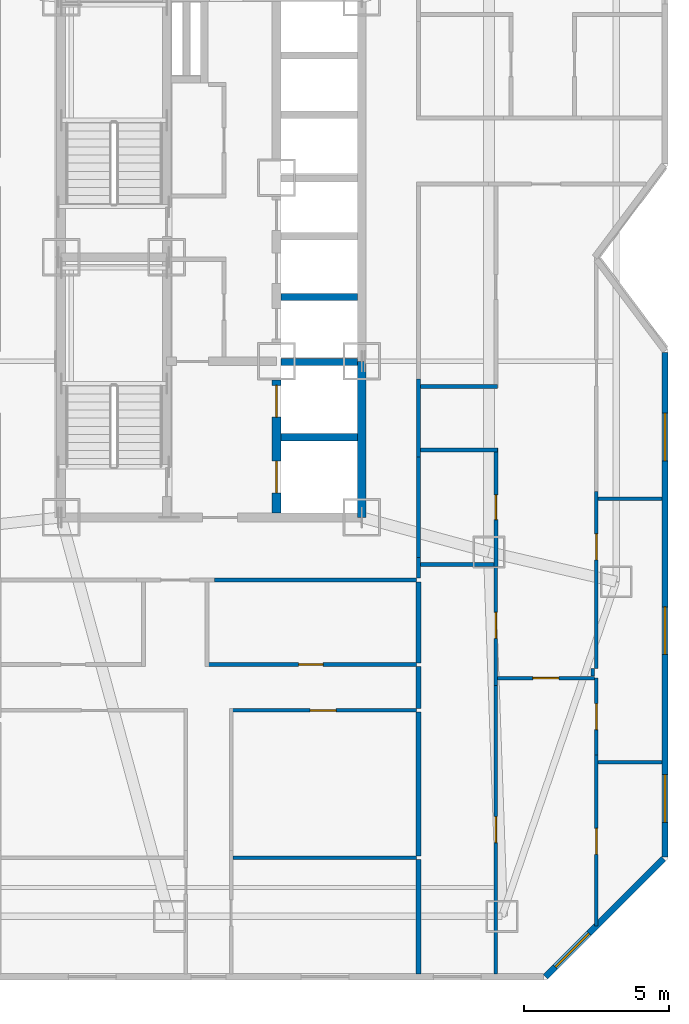
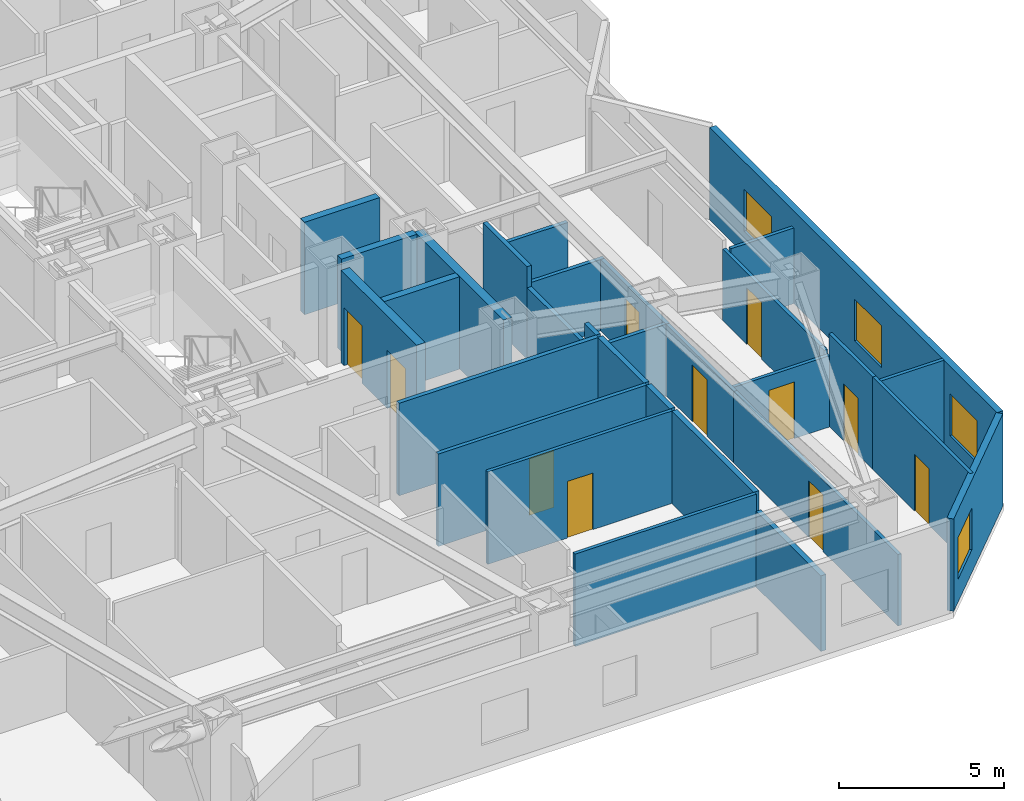
# One storey, part 14 of 19: 31 walls, 11 doors, 4 windows, 15 openings.
"""IFC4 building model written with IfcOpenShell, lengths in metres."""

from ifc_helpers import new_model, si_unit, direction, frame, frame_2d, origin, place, context, subcontext, project, spatial, rectangle, extrude, material, layer, layer_set, type_object, element, fill, save


model = new_model("IFC4")

# Units and contexts
model_context = context("Model", 3, precision=1e-05, world=origin(), true_north=direction((0.0, 1.0)))
body_context = subcontext(model_context, "Body", "Model", "MODEL_VIEW")
ifc_project = project(units=[si_unit("LENGTHUNIT", "METRE"), si_unit("AREAUNIT", "SQUARE_METRE"), si_unit("VOLUMEUNIT", "CUBIC_METRE"), si_unit("PLANEANGLEUNIT", "RADIAN"), si_unit("MASSUNIT", "GRAM", prefix="KILO")], contexts=[model_context])

# Site, building, storey
site_placement = place(None, origin())
site = spatial("IfcSite", under=ifc_project, at=site_placement, CompositionType="ELEMENT")
building_placement = place(site_placement, origin())
building = spatial("IfcBuilding", under=site, at=building_placement, Name="Khamvora Tower", CompositionType="ELEMENT")
storey_placement = place(building_placement, frame((0.0, 0.0, 58.85009765625)))
storey = spatial("IfcBuildingStorey", under=building, at=storey_placement, Name="L14", CompositionType="ELEMENT", Elevation=58.85009765625)

# Wall
ifc_material_1 = material(Name="Concrete C50/60", Category="concrete")
ifc_layer_1 = layer(ifc_material_1, 0.300048828125)
ifc_layer_set_1 = layer_set([ifc_layer_1], Name="Concrete C50/60")
wall_type_1 = type_object("IfcWallType", Name="WAL-CORE-300", PredefinedType="SHEAR", material=ifc_layer_set_1)
wall_1_placement = place(storey_placement, frame((39.39990234375, 19.0, 0.0), z_axis=(0.0, 0.0, 1.0), x_axis=(0.0, 1.0, 0.0)))
element("IfcWall", 1, at=wall_1_placement, inside=storey, type_object=wall_type_1, Name="L14 central core east south wall", PredefinedType="SHEAR", context=body_context, shape_type="SweptSolid", body=[
    extrude(rectangle(XDim=5.39990234375, YDim=0.300048828125, at=frame_2d((2.699951171875, 0.0))), origin(), (0.0, 0.0, 1.0), 3.429931640625),
])

# Wall, openings, doors
wall_2_placement = place(storey_placement, frame((36.449951171875, 19.154052734375, 0.0), z_axis=(0.0, 0.0, 1.0), x_axis=(0.0, 1.0, 0.0)))
wall_2 = element("IfcWall", 2, at=wall_2_placement, inside=storey, type_object=wall_type_1, Name="L14 central core lift bank south wall", PredefinedType="SHEAR", context=body_context, shape_type="SweptSolid", body=[
    extrude(rectangle(XDim=4.595947265625, YDim=0.300048828125, at=frame_2d((2.2978515625, 0.0))), origin(), (0.0, 0.0, 1.0), 3.429931640625),
])
opening_1_placement = place(wall_2_placement, frame((0.696044921875, 0.0, 0.0)))
opening_1 = element("IfcOpeningElement", 3, at=opening_1_placement, cuts=wall_2, Name="Opening LD-FFL", PredefinedType="OPENING", context=body_context, shape_type="SweptSolid", body=[
    extrude(rectangle(XDim=1.10009765625, YDim=2.14990234375, at=frame_2d((0.550048828125, 1.074951171875))), frame((0.0, 0.159912109375, 0.0), z_axis=(0.0, -1.0, 0.0), x_axis=(1.0, 0.0, 0.0)), (0.0, 0.0, 1.0), 0.320068359375),
])
opening_2_placement = place(wall_2_placement, frame((3.31591796875, 0.0, 0.0)))
opening_2 = element("IfcOpeningElement", 4, at=opening_2_placement, cuts=wall_2, Name="Opening LD-FFL", PredefinedType="OPENING", context=body_context, shape_type="SweptSolid", body=[
    extrude(rectangle(XDim=1.10009765625, YDim=2.14990234375, at=frame_2d((0.550048828125, 1.074951171875))), frame((0.0, 0.159912109375, 0.0), z_axis=(0.0, -1.0, 0.0), x_axis=(1.0, 0.0, 0.0)), (0.0, 0.0, 1.0), 0.320068359375),
])
ifc_material_2 = material(Name="Powder-Coated Steel and Hardwood Leaf", Category="steel")
door_type_1 = type_object("IfcDoorType", Name="DOR-LIFT-1100", OperationType="SLIDING_TO_LEFT", PredefinedType="DOOR", material=ifc_material_2)
door_1_placement = place(opening_1_placement, origin())
door_1 = element("IfcDoor", 5, at=door_1_placement, inside=storey, type_object=door_type_1, Name="L14 lift landing sliding door FFL-01", OperationType="SLIDING_TO_LEFT", OverallHeight=2.14990234375, OverallWidth=1.10009765625, PredefinedType="DOOR", context=body_context, shape_type="SweptSolid", body=[
    extrude(rectangle(XDim=1.10009765625, YDim=2.14990234375, at=frame_2d((0.550048828125, 1.074951171875))), frame((0.0, 0.02490234375, 0.0), z_axis=(0.0, -1.0, 0.0), x_axis=(1.0, 0.0, 0.0)), (0.0, 0.0, 1.0), 0.050048828125),
])
fill(opening_1, door_1)
door_2_placement = place(opening_2_placement, origin())
door_2 = element("IfcDoor", 6, at=door_2_placement, inside=storey, type_object=door_type_1, Name="L14 lift landing sliding door FFL-02", OperationType="SLIDING_TO_LEFT", OverallHeight=2.14990234375, OverallWidth=1.10009765625, PredefinedType="DOOR", context=body_context, shape_type="SweptSolid", body=[
    extrude(rectangle(XDim=1.10009765625, YDim=2.14990234375, at=frame_2d((0.550048828125, 1.074951171875))), frame((0.0, 0.02490234375, 0.0), z_axis=(0.0, -1.0, 0.0), x_axis=(1.0, 0.0, 0.0)), (0.0, 0.0, 1.0), 0.050048828125),
])
fill(opening_2, door_2)

# Walls
ifc_material_3 = material(Name="Fire-Rated Drywall and Steel Stud", Category="steel")
ifc_layer_2 = layer(ifc_material_3, 0.14990234375)
ifc_layer_set_2 = layer_set([ifc_layer_2], Name="Fire-Rated Drywall and Steel Stud")
wall_type_2 = type_object("IfcWallType", Name="WAL-CORR-150", PredefinedType="STANDARD", material=ifc_layer_set_2)
wall_3_placement = place(storey_placement, frame((41.300048828125, 16.8349609375, 0.0), z_axis=(0.0, 0.0, 1.0), x_axis=(-1.0, 0.0, 0.0)))
element("IfcWall", 7, at=wall_3_placement, inside=storey, type_object=wall_type_2, Name="L14 interior partition wall 028", PredefinedType="STANDARD", context=body_context, shape_type="SweptSolid", body=[
    extrude(rectangle(XDim=7.0009765625, YDim=0.14990234375, at=frame_2d((3.50048828125, 0.0))), origin(), (0.0, 0.0, 1.0), 3.429931640625),
])
wall_4_placement = place(storey_placement, frame((41.364990234375, 17.617919921875, 0.0), z_axis=(0.0, 0.0, 1.0), x_axis=(0.0, -1.0, 0.0)))
element("IfcWall", 8, at=wall_4_placement, inside=storey, type_object=wall_type_2, Name="L14 interior partition wall 032", PredefinedType="STANDARD", context=body_context, shape_type="SweptSolid", body=[
    extrude(rectangle(XDim=0.718017578125, YDim=0.14990234375, at=frame_2d((0.35888671875, 0.0))), origin(), (0.0, 0.0, 1.0), 3.429931640625),
])
wall_5_placement = place(storey_placement, frame((41.364990234375, 23.782958984375, 0.0), z_axis=(0.0, 0.0, 1.0), x_axis=(0.0, -1.0, 0.0)))
element("IfcWall", 9, at=wall_5_placement, inside=storey, type_object=wall_type_2, Name="L14 interior partition wall 034", PredefinedType="STANDARD", context=body_context, shape_type="SweptSolid", body=[
    extrude(rectangle(XDim=2.697998046875, YDim=0.14990234375, at=frame_2d((1.34912109375, 0.0))), origin(), (0.0, 0.0, 1.0), 3.429931640625),
])
wall_6_placement = place(storey_placement, frame((41.364990234375, 21.0849609375, 0.0), z_axis=(0.0, 0.0, 1.0), x_axis=(0.0, -1.0, 0.0)))
element("IfcWall", 10, at=wall_6_placement, inside=storey, type_object=wall_type_2, Name="L14 interior partition wall 035", PredefinedType="STANDARD", context=body_context, shape_type="SweptSolid", body=[
    extrude(rectangle(XDim=3.467041015625, YDim=0.14990234375, at=frame_2d((1.7333984375, 0.0))), origin(), (0.0, 0.0, 1.0), 2.64697265625),
])
ifc_material_4 = material(Name="Acoustic Double-Stud Fire Wall", Category="gypsum")
ifc_layer_3 = layer(ifc_material_4, 0.179931640625)
ifc_layer_set_3 = layer_set([ifc_layer_3], Name="Acoustic Double-Stud Fire Wall")
wall_type_3 = type_object("IfcWallType", Name="WAL-CORR-180", PredefinedType="STANDARD", material=ifc_layer_set_3)
wall_7_placement = place(storey_placement, frame((41.364990234375, 13.841064453125, 0.0), z_axis=(0.0, 0.0, 1.0), x_axis=(0.0, -1.0, 0.0)))
element("IfcWall", 11, at=wall_7_placement, inside=storey, type_object=wall_type_3, Name="L14 interior partition wall 134", PredefinedType="STANDARD", context=body_context, shape_type="SweptSolid", body=[
    extrude(rectangle(XDim=1.449951171875, YDim=0.179931640625, at=frame_2d((0.72509765625, 0.0))), origin(), (0.0, 0.0, 1.0), 3.429931640625),
])
wall_8_placement = place(storey_placement, frame((41.364990234375, 16.77001953125, 0.0), z_axis=(0.0, 0.0, 1.0), x_axis=(0.0, -1.0, 0.0)))
element("IfcWall", 12, at=wall_8_placement, inside=storey, type_object=wall_type_3, Name="L14 interior partition wall 135", PredefinedType="STANDARD", context=body_context, shape_type="SweptSolid", body=[
    extrude(rectangle(XDim=2.799072265625, YDim=0.179931640625, at=frame_2d((1.3994140625, 0.0))), origin(), (0.0, 0.0, 1.0), 3.429931640625),
])
wall_9_placement = place(storey_placement, frame((41.364990234375, 7.1669921875, 0.0), z_axis=(0.0, 0.0, 1.0), x_axis=(0.0, -1.0, 0.0)))
element("IfcWall", 13, at=wall_9_placement, inside=storey, type_object=wall_type_3, Name="L14 interior partition wall 138", PredefinedType="STANDARD", context=body_context, shape_type="SweptSolid", body=[
    extrude(rectangle(XDim=3.955078125, YDim=0.179931640625, at=frame_2d((1.9775390625, 0.0))), origin(), (0.0, 0.0, 1.0), 2.802978515625),
])
wall_10_placement = place(storey_placement, frame((41.364990234375, 12.260986328125, 0.0), z_axis=(0.0, 0.0, 1.0), x_axis=(0.0, -1.0, 0.0)))
element("IfcWall", 14, at=wall_10_placement, inside=storey, type_object=wall_type_3, Name="L14 interior partition wall 139", PredefinedType="STANDARD", context=body_context, shape_type="SweptSolid", body=[
    extrude(rectangle(XDim=4.9638671875, YDim=0.179931640625, at=frame_2d((2.48193359375, 0.0))), origin(), (0.0, 0.0, 1.0), 3.429931640625),
])

# Wall, openings, windows
ifc_material_5 = material(Name="Precast concrete C40/50", Category="concrete")
ifc_layer_4 = layer(ifc_material_5, 0.219970703125)
ifc_layer_set_4 = layer_set([ifc_layer_4], Name="Precast concrete C40/50")
wall_type_4 = type_object("IfcWallType", Name="WAL-EXT-220", PredefinedType="STANDARD", material=ifc_layer_set_4)
wall_11_placement = place(storey_placement, frame((49.889892578125, 24.70703125, 0.0), z_axis=(0.0, 0.0, 1.0), x_axis=(0.0, -1.0, 0.0)))
wall_11 = element("IfcWall", 15, at=wall_11_placement, inside=storey, type_object=wall_type_4, Name="L14 exterior facade wall 12.1", PredefinedType="STANDARD", context=body_context, shape_type="SweptSolid", body=[
    extrude(rectangle(XDim=17.4609375, YDim=0.219970703125, at=frame_2d((8.73046875, 0.0))), origin(), (0.0, 0.0, 1.0), 3.429931640625),
])
opening_3_placement = place(wall_11_placement, frame((14.60400390625, 0.0, 0.85009765625)))
opening_3 = element("IfcOpeningElement", 16, at=opening_3_placement, cuts=wall_11, Name="Opening WN-06", PredefinedType="OPENING", context=body_context, shape_type="SweptSolid", body=[
    extrude(rectangle(XDim=1.64990234375, YDim=1.550048828125, at=frame_2d((0.824951171875, 0.77490234375))), frame((0.0, 0.119873046875, 0.0), z_axis=(0.0, -1.0, 0.0), x_axis=(1.0, 0.0, 0.0)), (0.0, 0.0, 1.0), 0.239990234375),
])
opening_4_placement = place(wall_11_placement, frame((8.797119140625, 0.0, 0.85009765625)))
opening_4 = element("IfcOpeningElement", 17, at=opening_4_placement, cuts=wall_11, Name="Opening WN-06", PredefinedType="OPENING", context=body_context, shape_type="SweptSolid", body=[
    extrude(rectangle(XDim=1.64990234375, YDim=1.550048828125, at=frame_2d((0.824951171875, 0.77490234375))), frame((0.0, 0.119873046875, 0.0), z_axis=(0.0, -1.0, 0.0), x_axis=(1.0, 0.0, 0.0)), (0.0, 0.0, 1.0), 0.239990234375),
])
opening_5_placement = place(wall_11_placement, frame((2.09912109375, 0.0, 0.85009765625)))
opening_5 = element("IfcOpeningElement", 18, at=opening_5_placement, cuts=wall_11, Name="Opening WN-06", PredefinedType="OPENING", context=body_context, shape_type="SweptSolid", body=[
    extrude(rectangle(XDim=1.64990234375, YDim=1.550048828125, at=frame_2d((0.824951171875, 0.77490234375))), frame((0.0, 0.119873046875, 0.0), z_axis=(0.0, -1.0, 0.0), x_axis=(1.0, 0.0, 0.0)), (0.0, 0.0, 1.0), 0.239990234375),
])
ifc_material_6 = material(Name="Low-E Laminated Double Glazing", Category="glass")
window_type = type_object("IfcWindowType", Name="WIN-VIS-1650x1550", PartitioningType="SINGLE_PANEL", PredefinedType="WINDOW", material=ifc_material_6)
window_1_placement = place(opening_3_placement, origin())
window_1 = element("IfcWindow", 19, at=window_1_placement, inside=storey, type_object=window_type, Name="L14 vision window 12.1.01", OverallHeight=1.550048828125, OverallWidth=1.64990234375, PartitioningType="SINGLE_PANEL", PredefinedType="WINDOW", context=body_context, shape_type="SweptSolid", body=[
    extrude(rectangle(XDim=1.64990234375, YDim=1.550048828125, at=frame_2d((0.824951171875, 0.77490234375))), frame((0.0, 0.030029296875, 0.0), z_axis=(0.0, -1.0, 0.0), x_axis=(1.0, 0.0, 0.0)), (0.0, 0.0, 1.0), 0.06005859375),
])
fill(opening_3, window_1)
window_2_placement = place(opening_4_placement, origin())
window_2 = element("IfcWindow", 20, at=window_2_placement, inside=storey, type_object=window_type, Name="L14 vision window 12.1.02", OverallHeight=1.550048828125, OverallWidth=1.64990234375, PartitioningType="SINGLE_PANEL", PredefinedType="WINDOW", context=body_context, shape_type="SweptSolid", body=[
    extrude(rectangle(XDim=1.64990234375, YDim=1.550048828125, at=frame_2d((0.824951171875, 0.77490234375))), frame((0.0, 0.030029296875, 0.0), z_axis=(0.0, -1.0, 0.0), x_axis=(1.0, 0.0, 0.0)), (0.0, 0.0, 1.0), 0.06005859375),
])
fill(opening_4, window_2)
window_3_placement = place(opening_5_placement, origin())
window_3 = element("IfcWindow", 21, at=window_3_placement, inside=storey, type_object=window_type, Name="L14 vision window 12.1.03", OverallHeight=1.550048828125, OverallWidth=1.64990234375, PartitioningType="SINGLE_PANEL", PredefinedType="WINDOW", context=body_context, shape_type="SweptSolid", body=[
    extrude(rectangle(XDim=1.64990234375, YDim=1.550048828125, at=frame_2d((0.824951171875, 0.77490234375))), frame((0.0, 0.030029296875, 0.0), z_axis=(0.0, -1.0, 0.0), x_axis=(1.0, 0.0, 0.0)), (0.0, 0.0, 1.0), 0.06005859375),
])
fill(opening_5, window_3)

# Wall, opening, window
wall_12_placement = place(storey_placement, frame((49.840087890625, 7.196044921875, 0.0), z_axis=(0.0, 0.0, 1.0), x_axis=(-0.707127905562, -0.70708565618, 0.0)))
wall_12 = element("IfcWall", 22, at=wall_12_placement, inside=storey, type_object=wall_type_4, Name="L14 exterior facade wall 13.1", PredefinedType="STANDARD", context=body_context, shape_type="SweptSolid", body=[
    extrude(rectangle(XDim=5.778564453125, YDim=0.219970703125, at=frame_2d((2.88916015625, 0.0))), origin(), (0.0, 0.0, 1.0), 3.429931640625),
])
opening_6_placement = place(wall_12_placement, frame((3.65087890625, 0.0, 0.85009765625)))
opening_6 = element("IfcOpeningElement", 23, at=opening_6_placement, cuts=wall_12, Name="Opening WN-06", PredefinedType="OPENING", context=body_context, shape_type="SweptSolid", body=[
    extrude(rectangle(XDim=1.64990234375, YDim=1.550048828125, at=frame_2d((0.824951171875, 0.77490234375))), frame((0.0, 0.119873046875, 0.0), z_axis=(0.0, -1.0, 0.0), x_axis=(1.0, 0.0, 0.0)), (0.0, 0.0, 1.0), 0.239990234375),
])
window_4_placement = place(opening_6_placement, origin())
window_4 = element("IfcWindow", 24, at=window_4_placement, inside=storey, type_object=window_type, Name="L14 vision window 13.1.01", OverallHeight=1.550048828125, OverallWidth=1.64990234375, PartitioningType="SINGLE_PANEL", PredefinedType="WINDOW", context=body_context, shape_type="SweptSolid", body=[
    extrude(rectangle(XDim=1.64990234375, YDim=1.550048828125, at=frame_2d((0.824951171875, 0.77490234375))), frame((0.0, 0.030029296875, 0.0), z_axis=(0.0, -1.0, 0.0), x_axis=(1.0, 0.0, 0.0)), (0.0, 0.0, 1.0), 0.06005859375),
])
fill(opening_6, window_4)

# Wall, opening, door
ifc_material_7 = material(Name="Gypsum Plasterboard Partition", Category="gypsum")
ifc_layer_5 = layer(ifc_material_7, 0.1201171875)
ifc_layer_set_5 = layer_set([ifc_layer_5], Name="Gypsum Plasterboard Partition")
wall_type_5 = type_object("IfcWallType", Name="WAL-PART-120", PredefinedType="PARTITIONING", material=ifc_layer_set_5)
wall_13_placement = place(storey_placement, frame((41.300048828125, 12.325927734375, 0.0), z_axis=(0.0, 0.0, 1.0), x_axis=(-1.0, 0.0, 0.0)))
wall_13 = element("IfcWall", 25, at=wall_13_placement, inside=storey, type_object=wall_type_5, Name="L14 interior partition wall 132", PredefinedType="PARTITIONING", context=body_context, shape_type="SweptSolid", body=[
    extrude(rectangle(XDim=6.47998046875, YDim=0.1201171875, at=frame_2d((3.239990234375, 0.0))), origin(), (0.0, 0.0, 1.0), 3.429931640625),
])
opening_7_placement = place(wall_13_placement, frame((2.7900390625, 0.0, 0.0)))
opening_7 = element("IfcOpeningElement", 26, at=opening_7_placement, cuts=wall_13, Name="Opening D-RM1", PredefinedType="OPENING", context=body_context, shape_type="SweptSolid", body=[
    extrude(rectangle(XDim=0.89990234375, YDim=2.10009765625, at=frame_2d((0.449951171875, 1.050048828125))), frame((0.0, 0.070068359375, 0.0), z_axis=(0.0, -1.0, 0.0), x_axis=(1.0, 0.0, 0.0)), (0.0, 0.0, 1.0), 0.14013671875),
])
door_type_2 = type_object("IfcDoorType", Name="DOR-ROOM-900", OperationType="NOTDEFINED", PredefinedType="DOOR", material=ifc_material_2)
door_3_placement = place(opening_7_placement, origin())
door_3 = element("IfcDoor", 27, at=door_3_placement, inside=storey, type_object=door_type_2, Name="L14 interior door 14SAH-14SAR4", OperationType="SINGLE_SWING_RIGHT", OverallHeight=2.10009765625, OverallWidth=0.89990234375, PredefinedType="DOOR", context=body_context, shape_type="SweptSolid", body=[
    extrude(rectangle(XDim=0.89990234375, YDim=2.10009765625, at=frame_2d((0.449951171875, 1.050048828125))), frame((0.0, 0.02490234375, 0.0), z_axis=(0.0, -1.0, 0.0), x_axis=(1.0, 0.0, 0.0)), (0.0, 0.0, 1.0), 0.050048828125),
])
fill(opening_7, door_3)

# Wall
wall_14_placement = place(storey_placement, frame((34.93896484375, 7.23193359375, 0.0), z_axis=(0.0, 0.0, 1.0), x_axis=(1.0, 0.0, 0.0)))
element("IfcWall", 28, at=wall_14_placement, inside=storey, type_object=wall_type_5, Name="L14 interior partition wall 137", PredefinedType="PARTITIONING", context=body_context, shape_type="SweptSolid", body=[
    extrude(rectangle(XDim=6.361083984375, YDim=0.1201171875, at=frame_2d((3.1806640625, 0.0))), origin(), (0.0, 0.0, 1.0), 3.429931640625),
])

# Wall, opening, door
wall_15_placement = place(storey_placement, frame((44.0380859375, 17.303955078125, 0.0), z_axis=(0.0, 0.0, 1.0), x_axis=(0.0, -1.0, 0.0)))
wall_15 = element("IfcWall", 29, at=wall_15_placement, inside=storey, type_object=wall_type_5, Name="L14 interior partition wall 150", PredefinedType="PARTITIONING", context=body_context, shape_type="SweptSolid", body=[
    extrude(rectangle(XDim=4.11083984375, YDim=0.1201171875, at=frame_2d((2.055419921875, 0.0))), origin(), (0.0, 0.0, 1.0), 2.64697265625),
])
opening_8_placement = place(wall_15_placement, frame((1.5849609375, 0.0, 0.0)))
opening_8 = element("IfcOpeningElement", 30, at=opening_8_placement, cuts=wall_15, Name="Opening D-RM1", PredefinedType="OPENING", context=body_context, shape_type="SweptSolid", body=[
    extrude(rectangle(XDim=0.89990234375, YDim=2.10009765625, at=frame_2d((0.449951171875, 1.050048828125))), frame((0.0, 0.070068359375, 0.0), z_axis=(0.0, -1.0, 0.0), x_axis=(1.0, 0.0, 0.0)), (0.0, 0.0, 1.0), 0.14013671875),
])
door_4_placement = place(opening_8_placement, origin())
door_4 = element("IfcDoor", 31, at=door_4_placement, inside=storey, type_object=door_type_2, Name="L14 interior door 14EAW1-14EAH", OperationType="SINGLE_SWING_RIGHT", OverallHeight=2.10009765625, OverallWidth=0.89990234375, PredefinedType="DOOR", context=body_context, shape_type="SweptSolid", body=[
    extrude(rectangle(XDim=0.89990234375, YDim=2.10009765625, at=frame_2d((0.449951171875, 1.050048828125))), frame((0.0, 0.02490234375, 0.0), z_axis=(0.0, -1.0, 0.0), x_axis=(1.0, 0.0, 0.0)), (0.0, 0.0, 1.0), 0.050048828125),
])
fill(opening_8, door_4)

wall_16_placement = place(storey_placement, frame((44.0380859375, 13.193115234375, 0.0), z_axis=(0.0, 0.0, 1.0), x_axis=(0.0, -1.0, 0.0)))
wall_16 = element("IfcWall", 32, at=wall_16_placement, inside=storey, type_object=wall_type_5, Name="L14 interior partition wall 151", PredefinedType="PARTITIONING", context=body_context, shape_type="SweptSolid", body=[
    extrude(rectangle(XDim=9.981201171875, YDim=0.1201171875, at=frame_2d((4.99072265625, 0.0))), origin(), (0.0, 0.0, 1.0), 2.64697265625),
])
opening_9_placement = place(wall_16_placement, frame((4.5400390625, 0.0, 0.0)))
opening_9 = element("IfcOpeningElement", 33, at=opening_9_placement, cuts=wall_16, Name="Opening D-RM1", PredefinedType="OPENING", context=body_context, shape_type="SweptSolid", body=[
    extrude(rectangle(XDim=0.89990234375, YDim=2.10009765625, at=frame_2d((0.449951171875, 1.050048828125))), frame((0.0, 0.070068359375, 0.0), z_axis=(0.0, -1.0, 0.0), x_axis=(1.0, 0.0, 0.0)), (0.0, 0.0, 1.0), 0.14013671875),
])
door_5_placement = place(opening_9_placement, origin())
door_5 = element("IfcDoor", 34, at=door_5_placement, inside=storey, type_object=door_type_2, Name="L14 interior door 14EAW1-14EAD", OperationType="SINGLE_SWING_LEFT", OverallHeight=2.10009765625, OverallWidth=0.89990234375, PredefinedType="DOOR", context=body_context, shape_type="SweptSolid", body=[
    extrude(rectangle(XDim=0.89990234375, YDim=2.10009765625, at=frame_2d((0.449951171875, 1.050048828125))), frame((0.0, 0.02490234375, 0.0), z_axis=(0.0, -1.0, 0.0), x_axis=(1.0, 0.0, 0.0)), (0.0, 0.0, 1.0), 0.050048828125),
])
fill(opening_9, door_5)

wall_17_placement = place(storey_placement, frame((47.452880859375, 13.44189453125, 0.0), z_axis=(0.0, 0.0, 1.0), x_axis=(-1.0, 0.0, 0.0)))
wall_17 = element("IfcWall", 35, at=wall_17_placement, inside=storey, type_object=wall_type_5, Name="L14 interior partition wall 153", PredefinedType="PARTITIONING", context=body_context, shape_type="SweptSolid", body=[
    extrude(rectangle(XDim=3.36083984375, YDim=0.1201171875, at=frame_2d((1.680419921875, 0.0))), origin(), (0.0, 0.0, 1.0), 2.64697265625),
])
opening_10_placement = place(wall_17_placement, frame((1.23095703125, 0.0, 0.0)))
opening_10 = element("IfcOpeningElement", 36, at=opening_10_placement, cuts=wall_17, Name="Opening D-RM1", PredefinedType="OPENING", context=body_context, shape_type="SweptSolid", body=[
    extrude(rectangle(XDim=0.89990234375, YDim=2.10009765625, at=frame_2d((0.449951171875, 1.050048828125))), frame((0.0, 0.070068359375, 0.0), z_axis=(0.0, -1.0, 0.0), x_axis=(1.0, 0.0, 0.0)), (0.0, 0.0, 1.0), 0.14013671875),
])
door_6_placement = place(opening_10_placement, origin())
door_6 = element("IfcDoor", 37, at=door_6_placement, inside=storey, type_object=door_type_2, Name="L14 interior door 14EAH-14EAD", OperationType="SINGLE_SWING_RIGHT", OverallHeight=2.10009765625, OverallWidth=0.89990234375, PredefinedType="DOOR", context=body_context, shape_type="SweptSolid", body=[
    extrude(rectangle(XDim=0.89990234375, YDim=2.10009765625, at=frame_2d((0.449951171875, 1.050048828125))), frame((0.0, 0.02490234375, 0.0), z_axis=(0.0, -1.0, 0.0), x_axis=(1.0, 0.0, 0.0)), (0.0, 0.0, 1.0), 0.050048828125),
])
fill(opening_10, door_6)

# Wall
wall_18_placement = place(storey_placement, frame((47.387939453125, 13.781982421875, 0.0), z_axis=(0.0, 0.0, 1.0), x_axis=(0.0, -1.0, 0.0)))
element("IfcWall", 38, at=wall_18_placement, inside=storey, type_object=wall_type_5, Name="L14 interior partition wall 154", PredefinedType="PARTITIONING", context=body_context, shape_type="SweptSolid", body=[
    extrude(rectangle(XDim=0.27490234375, YDim=0.1201171875, at=frame_2d((0.137451171875, 0.0))), origin(), (0.0, 0.0, 1.0), 2.802978515625),
])

# Wall, opening, door
wall_19_placement = place(storey_placement, frame((47.51806640625, 19.89404296875, 0.0), z_axis=(0.0, 0.0, 1.0), x_axis=(0.0, -1.0, 0.0)))
wall_19 = element("IfcWall", 39, at=wall_19_placement, inside=storey, type_object=wall_type_5, Name="L14 interior partition wall 159", PredefinedType="PARTITIONING", context=body_context, shape_type="SweptSolid", body=[
    extrude(rectangle(XDim=6.112060546875, YDim=0.1201171875, at=frame_2d((3.05615234375, 0.0))), origin(), (0.0, 0.0, 1.0), 2.64697265625),
])
opening_11_placement = place(wall_19_placement, frame((1.465087890625, 0.0, 0.0)))
opening_11 = element("IfcOpeningElement", 40, at=opening_11_placement, cuts=wall_19, Name="Opening D-RM1", PredefinedType="OPENING", context=body_context, shape_type="SweptSolid", body=[
    extrude(rectangle(XDim=0.89990234375, YDim=2.10009765625, at=frame_2d((0.449951171875, 1.050048828125))), frame((0.0, 0.070068359375, 0.0), z_axis=(0.0, -1.0, 0.0), x_axis=(1.0, 0.0, 0.0)), (0.0, 0.0, 1.0), 0.14013671875),
])
door_7_placement = place(opening_11_placement, origin())
door_7 = element("IfcDoor", 41, at=door_7_placement, inside=storey, type_object=door_type_2, Name="L14 interior door 14EAH-14EAR2", OperationType="SINGLE_SWING_LEFT", OverallHeight=2.10009765625, OverallWidth=0.89990234375, PredefinedType="DOOR", context=body_context, shape_type="SweptSolid", body=[
    extrude(rectangle(XDim=0.89990234375, YDim=2.10009765625, at=frame_2d((0.449951171875, 1.050048828125))), frame((0.0, 0.02490234375, 0.0), z_axis=(0.0, -1.0, 0.0), x_axis=(1.0, 0.0, 0.0)), (0.0, 0.0, 1.0), 0.050048828125),
])
fill(opening_11, door_7)

wall_20_placement = place(storey_placement, frame((47.51806640625, 10.77392578125, 0.0), z_axis=(0.0, 0.0, 1.0), x_axis=(0.0, -1.0, 0.0)))
wall_20 = element("IfcWall", 42, at=wall_20_placement, inside=storey, type_object=wall_type_5, Name="L14 interior partition wall 161", PredefinedType="PARTITIONING", context=body_context, shape_type="SweptSolid", body=[
    extrude(rectangle(XDim=5.910888671875, YDim=0.1201171875, at=frame_2d((2.95556640625, 0.0))), origin(), (0.0, 0.0, 1.0), 3.429931640625),
])
opening_12_placement = place(wall_20_placement, frame((2.52587890625, 0.0, 0.0)))
opening_12 = element("IfcOpeningElement", 43, at=opening_12_placement, cuts=wall_20, Name="Opening D-RM1", PredefinedType="OPENING", context=body_context, shape_type="SweptSolid", body=[
    extrude(rectangle(XDim=0.89990234375, YDim=2.10009765625, at=frame_2d((0.449951171875, 1.050048828125))), frame((0.0, 0.070068359375, 0.0), z_axis=(0.0, -1.0, 0.0), x_axis=(1.0, 0.0, 0.0)), (0.0, 0.0, 1.0), 0.14013671875),
])
door_8_placement = place(opening_12_placement, origin())
door_8 = element("IfcDoor", 44, at=door_8_placement, inside=storey, type_object=door_type_2, Name="L14 interior door 14EAD-14EAL", OperationType="SINGLE_SWING_RIGHT", OverallHeight=2.10009765625, OverallWidth=0.89990234375, PredefinedType="DOOR", context=body_context, shape_type="SweptSolid", body=[
    extrude(rectangle(XDim=0.89990234375, YDim=2.10009765625, at=frame_2d((0.449951171875, 1.050048828125))), frame((0.0, 0.02490234375, 0.0), z_axis=(0.0, -1.0, 0.0), x_axis=(1.0, 0.0, 0.0)), (0.0, 0.0, 1.0), 0.050048828125),
])
fill(opening_12, door_8)

wall_21_placement = place(storey_placement, frame((47.51806640625, 13.44189453125, 0.0), z_axis=(0.0, 0.0, 1.0), x_axis=(0.0, -1.0, 0.0)))
wall_21 = element("IfcWall", 45, at=wall_21_placement, inside=storey, type_object=wall_type_5, Name="L14 interior partition wall 162", PredefinedType="PARTITIONING", context=body_context, shape_type="SweptSolid", body=[
    extrude(rectangle(XDim=2.66796875, YDim=0.1201171875, at=frame_2d((1.333984375, 0.0))), origin(), (0.0, 0.0, 1.0), 3.429931640625),
])
opening_13_placement = place(wall_21_placement, frame((0.884033203125, 0.0, 0.0)))
opening_13 = element("IfcOpeningElement", 46, at=opening_13_placement, cuts=wall_21, Name="Opening D-RM1", PredefinedType="OPENING", context=body_context, shape_type="SweptSolid", body=[
    extrude(rectangle(XDim=0.89990234375, YDim=2.10009765625, at=frame_2d((0.449951171875, 1.050048828125))), frame((0.0, 0.070068359375, 0.0), z_axis=(0.0, -1.0, 0.0), x_axis=(1.0, 0.0, 0.0)), (0.0, 0.0, 1.0), 0.14013671875),
])
door_9_placement = place(opening_13_placement, origin())
door_9 = element("IfcDoor", 47, at=door_9_placement, inside=storey, type_object=door_type_2, Name="L14 interior door 14EAD-14EAR2", OperationType="SINGLE_SWING_LEFT", OverallHeight=2.10009765625, OverallWidth=0.89990234375, PredefinedType="DOOR", context=body_context, shape_type="SweptSolid", body=[
    extrude(rectangle(XDim=0.89990234375, YDim=2.10009765625, at=frame_2d((0.449951171875, 1.050048828125))), frame((0.0, 0.02490234375, 0.0), z_axis=(0.0, -1.0, 0.0), x_axis=(1.0, 0.0, 0.0)), (0.0, 0.0, 1.0), 0.050048828125),
])
fill(opening_13, door_9)

# Walls
wall_22_placement = place(storey_placement, frame((47.572021484375, 10.52490234375, 0.0), z_axis=(0.0, 0.0, 1.0), x_axis=(1.0, 0.0, 0.0)))
element("IfcWall", 48, at=wall_22_placement, inside=storey, type_object=wall_type_5, Name="L14 interior partition wall 163", PredefinedType="PARTITIONING", context=body_context, shape_type="SweptSolid", body=[
    extrude(rectangle(XDim=2.216064453125, YDim=0.1201171875, at=frame_2d((1.10791015625, 0.0))), origin(), (0.0, 0.0, 1.0), 3.429931640625),
])
wall_23_placement = place(storey_placement, frame((47.572021484375, 19.64501953125, 0.0), z_axis=(0.0, 0.0, 1.0), x_axis=(1.0, 0.0, 0.0)))
element("IfcWall", 49, at=wall_23_placement, inside=storey, type_object=wall_type_5, Name="L14 interior partition wall 164", PredefinedType="PARTITIONING", context=body_context, shape_type="SweptSolid", body=[
    extrude(rectangle(XDim=2.216064453125, YDim=0.1201171875, at=frame_2d((1.10791015625, 0.0))), origin(), (0.0, 0.0, 1.0), 2.802978515625),
])
ifc_material_8 = material(Name="Concrete C40/50", Category="concrete")
ifc_layer_6 = layer(ifc_material_8, 0.25)
ifc_layer_set_6 = layer_set([ifc_layer_6], Name="Concrete C40/50")
wall_type_6 = type_object("IfcWallType", Name="WAL-PODS-250", PredefinedType="SHEAR", material=ifc_layer_set_6)
for number, where, z_axis, x_axis, name in (
    (50, (36.60400390625, 21.77490234375, 0.0), (0.0, 0.0, 1.0), (1.0, 0.0, 0.0), "L14 lift shaft divider wall FFL-01"),
    (51, (36.60400390625, 24.375, 0.0), (0.0, 0.0, 1.0), (1.0, 0.0, 0.0), "L14 lift shaft divider wall FFL-02"),
    (52, (36.60400390625, 26.625, 0.0), (0.0, 0.0, 1.0), (1.0, 0.0, 0.0), "L14 lift shaft divider wall PL-01"),
):
    element("IfcWall", number, at=place(storey_placement, frame(where, z_axis=z_axis, x_axis=x_axis)), inside=storey, type_object=wall_type_6, Name=name, PredefinedType="SHEAR", context=body_context, shape_type="SweptSolid", body=[
        extrude(rectangle(XDim=2.64208984375, YDim=0.25, at=frame_2d((1.321044921875, 0.0))), origin(), (0.0, 0.0, 1.0), 3.429931640625),
    ])

# Wall, opening, door
ifc_material_9 = material(Name="Moisture-Resistant Plasterboard Partition", Category="gypsum")
ifc_layer_7 = layer(ifc_material_9, 0.135009765625)
ifc_layer_set_7 = layer_set([ifc_layer_7], Name="Moisture-Resistant Plasterboard Partition")
wall_type_7 = type_object("IfcWallType", Name="WAL-WET-135", PredefinedType="PARTITIONING", material=ifc_layer_set_7)
wall_24_placement = place(storey_placement, frame((33.985107421875, 13.906005859375, 0.0), z_axis=(0.0, 0.0, 1.0), x_axis=(1.0, 0.0, 0.0)))
wall_24 = element("IfcWall", 53, at=wall_24_placement, inside=storey, type_object=wall_type_7, Name="L14 interior partition wall 127", PredefinedType="PARTITIONING", context=body_context, shape_type="SweptSolid", body=[
    extrude(rectangle(XDim=7.31494140625, YDim=0.135009765625, at=frame_2d((3.657470703125, 0.0))), origin(), (0.0, 0.0, 1.0), 3.429931640625),
])
opening_14_placement = place(wall_24_placement, frame((3.23291015625, 0.0, 0.0)))
opening_14 = element("IfcOpeningElement", 54, at=opening_14_placement, cuts=wall_24, Name="Opening D-RM2", PredefinedType="OPENING", context=body_context, shape_type="SweptSolid", body=[
    extrude(rectangle(XDim=0.85009765625, YDim=2.10009765625, at=frame_2d((0.425048828125, 1.050048828125))), frame((0.0, 0.077392578125, 0.0), z_axis=(0.0, -1.0, 0.0), x_axis=(1.0, 0.0, 0.0)), (0.0, 0.0, 1.0), 0.155029296875),
])
door_type_3 = type_object("IfcDoorType", Name="DOR-ROOM-850", OperationType="NOTDEFINED", PredefinedType="DOOR", material=ifc_material_2)
door_10_placement = place(opening_14_placement, origin())
door_10 = element("IfcDoor", 55, at=door_10_placement, inside=storey, type_object=door_type_3, Name="L14 interior door 14SAH-14SAK", OperationType="SINGLE_SWING_RIGHT", OverallHeight=2.10009765625, OverallWidth=0.85009765625, PredefinedType="DOOR", context=body_context, shape_type="SweptSolid", body=[
    extrude(rectangle(XDim=0.85009765625, YDim=2.10009765625, at=frame_2d((0.425048828125, 1.050048828125))), frame((0.0, 0.02490234375, 0.0), z_axis=(0.0, -1.0, 0.0), x_axis=(1.0, 0.0, 0.0)), (0.0, 0.0, 1.0), 0.050048828125),
])
fill(opening_14, door_10)

# Wall
wall_25_placement = place(storey_placement, frame((41.431884765625, 17.368896484375, 0.0), z_axis=(0.0, 0.0, 1.0), x_axis=(1.0, 0.0, 0.0)))
element("IfcWall", 56, at=wall_25_placement, inside=storey, type_object=wall_type_7, Name="L14 interior partition wall 152", PredefinedType="PARTITIONING", context=body_context, shape_type="SweptSolid", body=[
    extrude(rectangle(XDim=2.541015625, YDim=0.135009765625, at=frame_2d((1.2705078125, 0.0))), origin(), (0.0, 0.0, 1.0), 2.64697265625),
])

# Wall, opening, door
wall_26_placement = place(storey_placement, frame((44.0380859375, 17.303955078125, 0.0), z_axis=(0.0, 0.0, 1.0), x_axis=(0.0, 1.0, 0.0)))
wall_26 = element("IfcWall", 57, at=wall_26_placement, inside=storey, type_object=wall_type_7, Name="L14 interior partition wall 155", PredefinedType="PARTITIONING", context=body_context, shape_type="SweptSolid", body=[
    extrude(rectangle(XDim=4.094970703125, YDim=0.135009765625, at=frame_2d((2.04736328125, 0.0))), origin(), (0.0, 0.0, 1.0), 2.64697265625),
])
opening_15_placement = place(wall_26_placement, frame((1.6220703125, 0.0, 0.0)))
opening_15 = element("IfcOpeningElement", 58, at=opening_15_placement, cuts=wall_26, Name="Opening D-WC1", PredefinedType="OPENING", context=body_context, shape_type="SweptSolid", body=[
    extrude(rectangle(XDim=0.85009765625, YDim=2.10009765625, at=frame_2d((0.425048828125, 1.050048828125))), frame((0.0, 0.077392578125, 0.0), z_axis=(0.0, -1.0, 0.0), x_axis=(1.0, 0.0, 0.0)), (0.0, 0.0, 1.0), 0.155029296875),
])
door_type_4 = type_object("IfcDoorType", Name="DOR-WET-850", OperationType="NOTDEFINED", PredefinedType="DOOR", material=ifc_material_2)
door_11_placement = place(opening_15_placement, origin())
door_11 = element("IfcDoor", 59, at=door_11_placement, inside=storey, type_object=door_type_4, Name="L14 interior door 14EAH-14EAB", OperationType="SINGLE_SWING_RIGHT", OverallHeight=2.10009765625, OverallWidth=0.85009765625, PredefinedType="DOOR", context=body_context, shape_type="SweptSolid", body=[
    extrude(rectangle(XDim=0.85009765625, YDim=2.10009765625, at=frame_2d((0.425048828125, 1.050048828125))), frame((0.0, 0.02490234375, 0.0), z_axis=(0.0, -1.0, 0.0), x_axis=(1.0, 0.0, 0.0)), (0.0, 0.0, 1.0), 0.050048828125),
])
fill(opening_15, door_11)

# Walls
for number, where, z_axis, x_axis, name in (
    (60, (44.10302734375, 21.333984375, 0.0), (0.0, 0.0, 1.0), (-1.0, 0.0, 0.0), "L14 interior partition wall 156"),
    (61, (41.431884765625, 23.533935546875, 0.0), (0.0, 0.0, 1.0), (1.0, 0.0, 0.0), "L14 interior partition wall 157"),
):
    element("IfcWall", number, at=place(storey_placement, frame(where, z_axis=z_axis, x_axis=x_axis)), inside=storey, type_object=wall_type_7, Name=name, PredefinedType="PARTITIONING", context=body_context, shape_type="SweptSolid", body=[
        extrude(rectangle(XDim=2.671142578125, YDim=0.135009765625, at=frame_2d((1.33544921875, 0.0))), origin(), (0.0, 0.0, 1.0), 2.64697265625),
    ])

save(model, "model.ifc")
